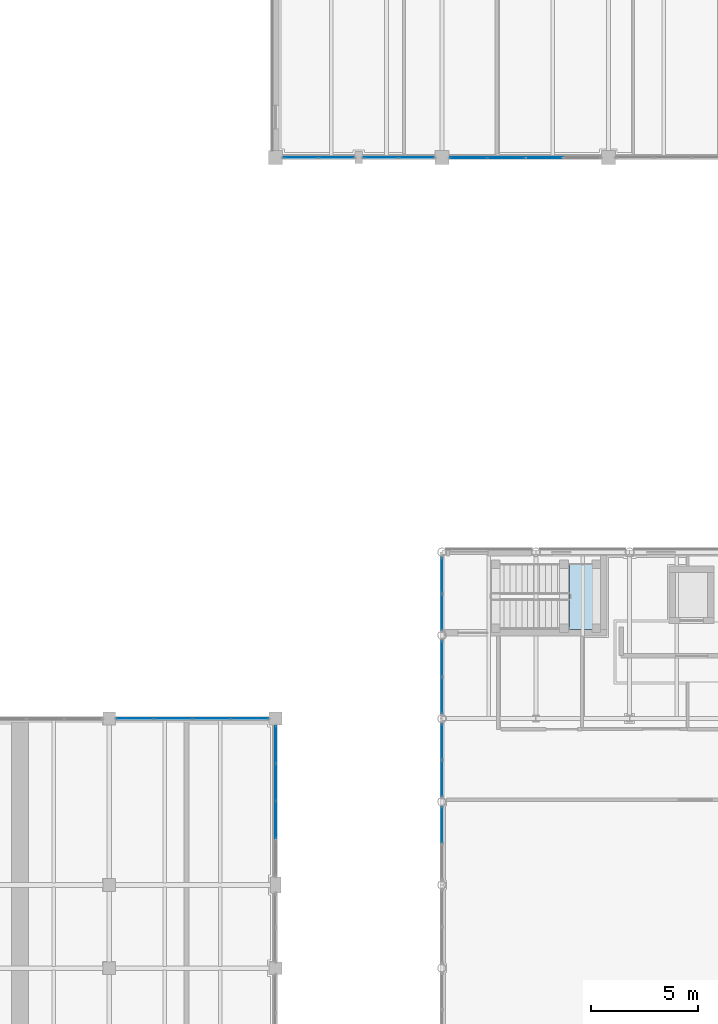
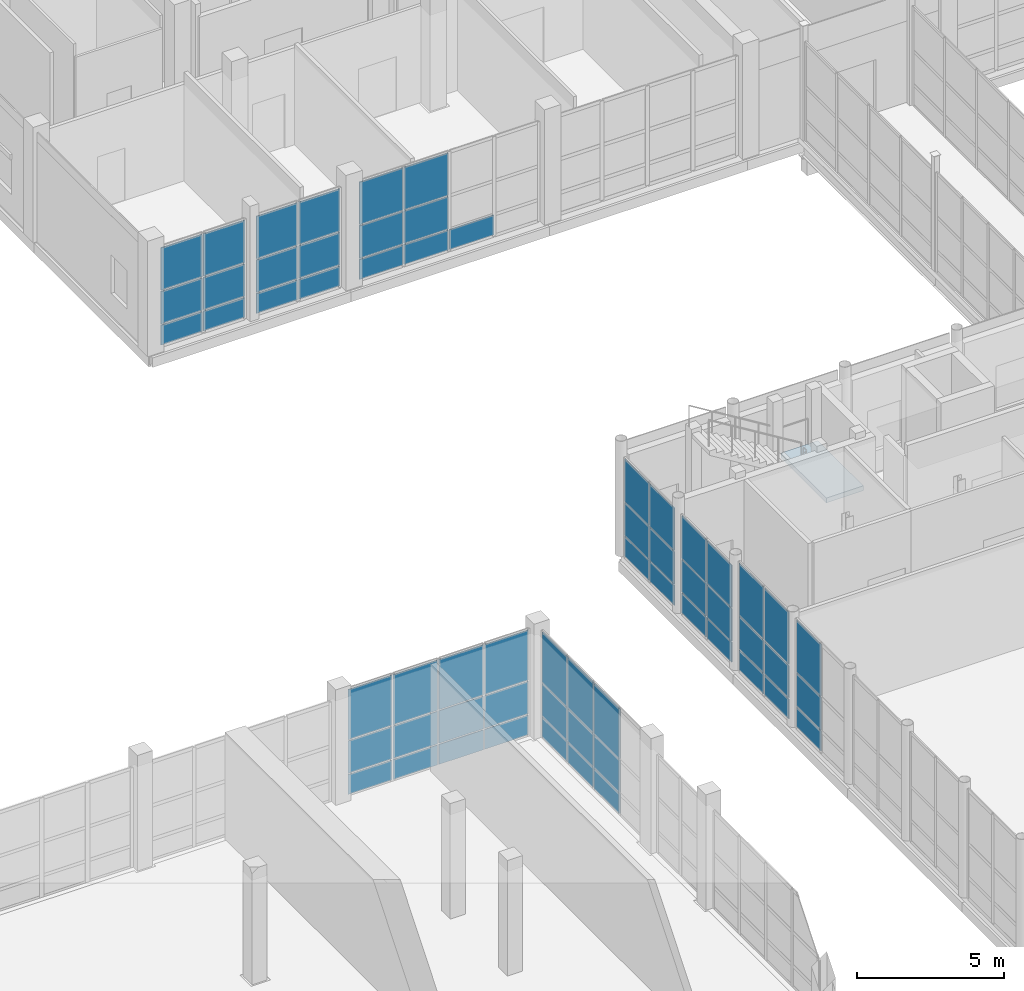
# One storey, part 77 of 131: 61 plates, 1 slab, 10 elements without a shape of their own.
"""IFC4 building model written with IfcOpenShell, lengths in metres."""

from ifc_helpers import new_model, si_unit, direction, frame, origin, origin_2d, place, context, subcontext, project, spatial, polyline, rectangle, outline, extrude, material, layer, layer_set, type_object, element, aggregate, save


model = new_model("IFC4")

# Units and contexts
model_context = context("Model", 3, precision=1e-05, world=origin(), true_north=direction((0.0, 1.0)))
body_context = subcontext(model_context, "Body", "Model", "MODEL_VIEW")
ifc_project = project(units=[si_unit("LENGTHUNIT", "METRE"), si_unit("AREAUNIT", "SQUARE_METRE"), si_unit("VOLUMEUNIT", "CUBIC_METRE"), si_unit("PLANEANGLEUNIT", "RADIAN"), si_unit("MASSUNIT", "GRAM", prefix="KILO")], contexts=[model_context])

# Site, building, storey
site_placement = place(None, origin())
site = spatial("IfcSite", under=ifc_project, at=site_placement, CompositionType="ELEMENT")
building_placement = place(site_placement, origin())
building = spatial("IfcBuilding", under=site, at=building_placement, Name="Celorna Specialist Clinic", CompositionType="ELEMENT")
storey_placement = place(building_placement, origin())
storey = spatial("IfcBuildingStorey", under=building, at=storey_placement, Name="L00", CompositionType="ELEMENT", Elevation=0.0)

# Curtain wall, plates
ifc_material_1 = material(Name="Thermally broken aluminium and solar-control glass curtain wall", Category="aluminium")
ifc_layer_1 = layer(ifc_material_1, 0.159912109375, Name="Thermally broken aluminium and solar-control glass curtain wall")
ifc_layer_set_1 = layer_set([ifc_layer_1], Name="Thermally broken aluminium and solar-control glass curtain wall")
curtain_wall_type_1 = type_object("IfcCurtainWallType", Name="CW-06", PredefinedType="NOTDEFINED", material=ifc_layer_set_1)
curtain_wall_1_placement = place(storey_placement, origin())
curtain_wall_1 = element("IfcCurtainWall", 1, at=curtain_wall_1_placement, inside=storey, type_object=curtain_wall_type_1, Name="Curtain wall CW-06 #14", PredefinedType="NOTDEFINED")
ifc_material_2 = material(Name="Low-e double glazing", Category="glass")
ifc_layer_2 = layer(ifc_material_2, 0.028076171875, Name="Low-e double glazing")
ifc_layer_set_2 = layer_set([ifc_layer_2], Name="Low-e double glazing")
plate_type_1 = type_object("IfcPlateType", Name="CPN-01", PredefinedType="CURTAIN_PANEL", material=ifc_layer_set_2)
plate_1_placement = place(storey_placement, frame((54.60009765625, 65.208984375, 0.0498046875), z_axis=(0.0, 0.0, 1.0), x_axis=(0.0, 1.0, 0.0)))
plate_1 = element("IfcPlate", 2, at=plate_1_placement, type_object=plate_type_1, Name="CW-06 panel 2.1", PredefinedType="CURTAIN_PANEL", context=body_context, shape_type="SweptSolid", body=[
    extrude(rectangle(XDim=1.667724609375, YDim=0.028076171875, at=origin_2d()), origin(), (0.0, 0.0, 1.0), 0.824951171875),
])
plate_2_placement = place(storey_placement, frame((54.60009765625, 65.208984375, 0.925048828125), z_axis=(0.0, 0.0, 1.0), x_axis=(0.0, 1.0, 0.0)))
plate_2 = element("IfcPlate", 3, at=plate_2_placement, type_object=plate_type_1, Name="CW-06 panel 2.2", PredefinedType="CURTAIN_PANEL", context=body_context, shape_type="SweptSolid", body=[
    extrude(rectangle(XDim=1.667724609375, YDim=0.028076171875, at=origin_2d()), origin(), (0.0, 0.0, 1.0), 1.35009765625),
])
plate_3_placement = place(storey_placement, frame((54.60009765625, 65.208984375, 2.324951171875), z_axis=(0.0, 0.0, 1.0), x_axis=(0.0, 1.0, 0.0)))
plate_3 = element("IfcPlate", 4, at=plate_3_placement, type_object=plate_type_1, Name="CW-06 panel 2.3", PredefinedType="CURTAIN_PANEL", context=body_context, shape_type="SweptSolid", body=[
    extrude(rectangle(XDim=1.667724609375, YDim=0.028076171875, at=origin_2d()), origin(), (0.0, 0.0, 1.0), 2.1650390625),
])
aggregate(curtain_wall_1, [plate_1, plate_2, plate_3])

curtain_wall_2_placement = place(storey_placement, origin())
curtain_wall_2 = element("IfcCurtainWall", 5, at=curtain_wall_2_placement, inside=storey, type_object=curtain_wall_type_1, Name="Curtain wall CW-06 #15", PredefinedType="NOTDEFINED")
plate_4_placement = place(storey_placement, frame((54.60009765625, 67.39111328125, 0.0498046875), z_axis=(0.0, 0.0, 1.0), x_axis=(0.0, 1.0, 0.0)))
plate_4 = element("IfcPlate", 6, at=plate_4_placement, type_object=plate_type_1, Name="CW-06 panel 1.1", PredefinedType="CURTAIN_PANEL", context=body_context, shape_type="SweptSolid", body=[
    extrude(rectangle(XDim=1.667724609375, YDim=0.028076171875, at=origin_2d()), origin(), (0.0, 0.0, 1.0), 0.824951171875),
])
plate_5_placement = place(storey_placement, frame((54.60009765625, 67.39111328125, 0.925048828125), z_axis=(0.0, 0.0, 1.0), x_axis=(0.0, 1.0, 0.0)))
plate_5 = element("IfcPlate", 7, at=plate_5_placement, type_object=plate_type_1, Name="CW-06 panel 1.2", PredefinedType="CURTAIN_PANEL", context=body_context, shape_type="SweptSolid", body=[
    extrude(rectangle(XDim=1.667724609375, YDim=0.028076171875, at=origin_2d()), origin(), (0.0, 0.0, 1.0), 1.35009765625),
])
plate_6_placement = place(storey_placement, frame((54.60009765625, 67.39111328125, 2.324951171875), z_axis=(0.0, 0.0, 1.0), x_axis=(0.0, 1.0, 0.0)))
plate_6 = element("IfcPlate", 8, at=plate_6_placement, type_object=plate_type_1, Name="CW-06 panel 1.3", PredefinedType="CURTAIN_PANEL", context=body_context, shape_type="SweptSolid", body=[
    extrude(rectangle(XDim=1.667724609375, YDim=0.028076171875, at=origin_2d()), origin(), (0.0, 0.0, 1.0), 2.1650390625),
])
plate_7_placement = place(storey_placement, frame((54.60009765625, 69.10888671875, 0.0498046875), z_axis=(0.0, 0.0, 1.0), x_axis=(0.0, 1.0, 0.0)))
plate_7 = element("IfcPlate", 9, at=plate_7_placement, type_object=plate_type_1, Name="CW-06 panel 2.1", PredefinedType="CURTAIN_PANEL", context=body_context, shape_type="SweptSolid", body=[
    extrude(rectangle(XDim=1.667724609375, YDim=0.028076171875, at=origin_2d()), origin(), (0.0, 0.0, 1.0), 0.824951171875),
])
plate_8_placement = place(storey_placement, frame((54.60009765625, 69.10888671875, 0.925048828125), z_axis=(0.0, 0.0, 1.0), x_axis=(0.0, 1.0, 0.0)))
plate_8 = element("IfcPlate", 10, at=plate_8_placement, type_object=plate_type_1, Name="CW-06 panel 2.2", PredefinedType="CURTAIN_PANEL", context=body_context, shape_type="SweptSolid", body=[
    extrude(rectangle(XDim=1.667724609375, YDim=0.028076171875, at=origin_2d()), origin(), (0.0, 0.0, 1.0), 1.35009765625),
])
plate_9_placement = place(storey_placement, frame((54.60009765625, 69.10888671875, 2.324951171875), z_axis=(0.0, 0.0, 1.0), x_axis=(0.0, 1.0, 0.0)))
plate_9 = element("IfcPlate", 11, at=plate_9_placement, type_object=plate_type_1, Name="CW-06 panel 2.3", PredefinedType="CURTAIN_PANEL", context=body_context, shape_type="SweptSolid", body=[
    extrude(rectangle(XDim=1.667724609375, YDim=0.028076171875, at=origin_2d()), origin(), (0.0, 0.0, 1.0), 2.1650390625),
])
aggregate(curtain_wall_2, [plate_4, plate_5, plate_6, plate_7, plate_8, plate_9])

ifc_layer_3 = layer(ifc_material_1, 0.159912109375, Name="Thermally broken aluminium and solar-control glass curtain wall")
ifc_layer_set_3 = layer_set([ifc_layer_3], Name="Thermally broken aluminium and solar-control glass curtain wall")
curtain_wall_type_2 = type_object("IfcCurtainWallType", Name="CW-18", PredefinedType="NOTDEFINED", material=ifc_layer_set_3)
curtain_wall_3_placement = place(storey_placement, origin())
curtain_wall_3 = element("IfcCurtainWall", 12, at=curtain_wall_3_placement, inside=storey, type_object=curtain_wall_type_2, Name="Curtain wall CW-18 #46", PredefinedType="NOTDEFINED")
plate_10_placement = place(storey_placement, frame((40.215576171875, 70.199951171875, 0.0498046875), z_axis=(0.0, 0.0, 1.0), x_axis=(1.0, 0.0, 0.0)))
plate_10 = element("IfcPlate", 13, at=plate_10_placement, type_object=plate_type_1, Name="CW-18 panel 1.1", PredefinedType="CURTAIN_PANEL", context=body_context, shape_type="SweptSolid", body=[
    extrude(rectangle(XDim=1.722900390625, YDim=0.028076171875, at=origin_2d()), origin(), (0.0, 0.0, 1.0), 0.824951171875),
])
plate_11_placement = place(storey_placement, frame((40.215576171875, 70.199951171875, 0.925048828125), z_axis=(0.0, 0.0, 1.0), x_axis=(1.0, 0.0, 0.0)))
plate_11 = element("IfcPlate", 14, at=plate_11_placement, type_object=plate_type_1, Name="CW-18 panel 1.2", PredefinedType="CURTAIN_PANEL", context=body_context, shape_type="SweptSolid", body=[
    extrude(rectangle(XDim=1.722900390625, YDim=0.028076171875, at=origin_2d()), origin(), (0.0, 0.0, 1.0), 1.35009765625),
])
plate_12_placement = place(storey_placement, frame((40.215576171875, 70.199951171875, 2.324951171875), z_axis=(0.0, 0.0, 1.0), x_axis=(1.0, 0.0, 0.0)))
plate_12 = element("IfcPlate", 15, at=plate_12_placement, type_object=plate_type_1, Name="CW-18 panel 1.3", PredefinedType="CURTAIN_PANEL", context=body_context, shape_type="SweptSolid", body=[
    extrude(rectangle(XDim=1.722900390625, YDim=0.028076171875, at=origin_2d()), origin(), (0.0, 0.0, 1.0), 2.0849609375),
])
plate_13_placement = place(storey_placement, frame((42.0009765625, 70.199951171875, 0.0498046875), z_axis=(0.0, 0.0, 1.0), x_axis=(1.0, 0.0, 0.0)))
plate_13 = element("IfcPlate", 16, at=plate_13_placement, type_object=plate_type_1, Name="CW-18 panel 2.1", PredefinedType="CURTAIN_PANEL", context=body_context, shape_type="SweptSolid", body=[
    extrude(rectangle(XDim=1.748046875, YDim=0.028076171875, at=origin_2d()), origin(), (0.0, 0.0, 1.0), 0.824951171875),
])
plate_14_placement = place(storey_placement, frame((42.0009765625, 70.199951171875, 0.925048828125), z_axis=(0.0, 0.0, 1.0), x_axis=(1.0, 0.0, 0.0)))
plate_14 = element("IfcPlate", 17, at=plate_14_placement, type_object=plate_type_1, Name="CW-18 panel 2.2", PredefinedType="CURTAIN_PANEL", context=body_context, shape_type="SweptSolid", body=[
    extrude(rectangle(XDim=1.748046875, YDim=0.028076171875, at=origin_2d()), origin(), (0.0, 0.0, 1.0), 1.35009765625),
])
plate_15_placement = place(storey_placement, frame((42.0009765625, 70.199951171875, 2.324951171875), z_axis=(0.0, 0.0, 1.0), x_axis=(1.0, 0.0, 0.0)))
plate_15 = element("IfcPlate", 18, at=plate_15_placement, type_object=plate_type_1, Name="CW-18 panel 2.3", PredefinedType="CURTAIN_PANEL", context=body_context, shape_type="SweptSolid", body=[
    extrude(rectangle(XDim=1.748046875, YDim=0.028076171875, at=origin_2d()), origin(), (0.0, 0.0, 1.0), 2.0849609375),
])
plate_16_placement = place(storey_placement, frame((43.799072265625, 70.199951171875, 0.0498046875), z_axis=(0.0, 0.0, 1.0), x_axis=(1.0, 0.0, 0.0)))
plate_16 = element("IfcPlate", 19, at=plate_16_placement, type_object=plate_type_1, Name="CW-18 panel 3.1", PredefinedType="CURTAIN_PANEL", context=body_context, shape_type="SweptSolid", body=[
    extrude(rectangle(XDim=1.748046875, YDim=0.028076171875, at=origin_2d()), origin(), (0.0, 0.0, 1.0), 0.824951171875),
])
plate_17_placement = place(storey_placement, frame((43.799072265625, 70.199951171875, 0.925048828125), z_axis=(0.0, 0.0, 1.0), x_axis=(1.0, 0.0, 0.0)))
plate_17 = element("IfcPlate", 20, at=plate_17_placement, type_object=plate_type_1, Name="CW-18 panel 3.2", PredefinedType="CURTAIN_PANEL", context=body_context, shape_type="SweptSolid", body=[
    extrude(rectangle(XDim=1.748046875, YDim=0.028076171875, at=origin_2d()), origin(), (0.0, 0.0, 1.0), 1.35009765625),
])
plate_18_placement = place(storey_placement, frame((43.799072265625, 70.199951171875, 2.324951171875), z_axis=(0.0, 0.0, 1.0), x_axis=(1.0, 0.0, 0.0)))
plate_18 = element("IfcPlate", 21, at=plate_18_placement, type_object=plate_type_1, Name="CW-18 panel 3.3", PredefinedType="CURTAIN_PANEL", context=body_context, shape_type="SweptSolid", body=[
    extrude(rectangle(XDim=1.748046875, YDim=0.028076171875, at=origin_2d()), origin(), (0.0, 0.0, 1.0), 2.0849609375),
])
plate_19_placement = place(storey_placement, frame((45.58447265625, 70.199951171875, 0.0498046875), z_axis=(0.0, 0.0, 1.0), x_axis=(1.0, 0.0, 0.0)))
plate_19 = element("IfcPlate", 22, at=plate_19_placement, type_object=plate_type_1, Name="CW-18 panel 4.1", PredefinedType="CURTAIN_PANEL", context=body_context, shape_type="SweptSolid", body=[
    extrude(rectangle(XDim=1.722900390625, YDim=0.028076171875, at=origin_2d()), origin(), (0.0, 0.0, 1.0), 0.824951171875),
])
plate_20_placement = place(storey_placement, frame((45.58447265625, 70.199951171875, 0.925048828125), z_axis=(0.0, 0.0, 1.0), x_axis=(1.0, 0.0, 0.0)))
plate_20 = element("IfcPlate", 23, at=plate_20_placement, type_object=plate_type_1, Name="CW-18 panel 4.2", PredefinedType="CURTAIN_PANEL", context=body_context, shape_type="SweptSolid", body=[
    extrude(rectangle(XDim=1.722900390625, YDim=0.028076171875, at=origin_2d()), origin(), (0.0, 0.0, 1.0), 1.35009765625),
])
plate_21_placement = place(storey_placement, frame((45.58447265625, 70.199951171875, 2.324951171875), z_axis=(0.0, 0.0, 1.0), x_axis=(1.0, 0.0, 0.0)))
plate_21 = element("IfcPlate", 24, at=plate_21_placement, type_object=plate_type_1, Name="CW-18 panel 4.3", PredefinedType="CURTAIN_PANEL", context=body_context, shape_type="SweptSolid", body=[
    extrude(rectangle(XDim=1.722900390625, YDim=0.028076171875, at=origin_2d()), origin(), (0.0, 0.0, 1.0), 2.0849609375),
])
aggregate(curtain_wall_3, [plate_10, plate_11, plate_12, plate_13, plate_14, plate_15, plate_16, plate_17, plate_18, plate_19, plate_20, plate_21])

ifc_layer_4 = layer(ifc_material_1, 0.159912109375, Name="Thermally broken aluminium and solar-control glass curtain wall")
ifc_layer_set_4 = layer_set([ifc_layer_4], Name="Thermally broken aluminium and solar-control glass curtain wall")
curtain_wall_type_3 = type_object("IfcCurtainWallType", Name="CW-07", PredefinedType="NOTDEFINED", material=ifc_layer_set_4)
curtain_wall_4_placement = place(storey_placement, origin())
curtain_wall_4 = element("IfcCurtainWall", 25, at=curtain_wall_4_placement, inside=storey, type_object=curtain_wall_type_3, Name="Curtain wall CW-07 #16", PredefinedType="NOTDEFINED")
ifc_material_3 = material(Name="Solar-control triple glazing", Category="glass")
ifc_layer_5 = layer(ifc_material_3, 0.035888671875, Name="Solar-control triple glazing")
ifc_layer_set_5 = layer_set([ifc_layer_5], Name="Solar-control triple glazing")
plate_type_2 = type_object("IfcPlateType", Name="CPN-02", PredefinedType="CURTAIN_PANEL", material=ifc_layer_set_5)
plate_22_placement = place(storey_placement, frame((54.60009765625, 71.291015625, 0.0498046875), z_axis=(0.0, 0.0, 1.0), x_axis=(0.0, 1.0, 0.0)))
plate_22 = element("IfcPlate", 26, at=plate_22_placement, type_object=plate_type_2, Name="CW-07 panel 1.1", PredefinedType="CURTAIN_PANEL", context=body_context, shape_type="SweptSolid", body=[
    extrude(rectangle(XDim=1.667724609375, YDim=0.035888671875, at=origin_2d()), origin(), (0.0, 0.0, 1.0), 0.824951171875),
])
plate_23_placement = place(storey_placement, frame((54.60009765625, 71.291015625, 0.925048828125), z_axis=(0.0, 0.0, 1.0), x_axis=(0.0, 1.0, 0.0)))
plate_23 = element("IfcPlate", 27, at=plate_23_placement, type_object=plate_type_2, Name="CW-07 panel 1.2", PredefinedType="CURTAIN_PANEL", context=body_context, shape_type="SweptSolid", body=[
    extrude(rectangle(XDim=1.667724609375, YDim=0.035888671875, at=origin_2d()), origin(), (0.0, 0.0, 1.0), 1.35009765625),
])
plate_24_placement = place(storey_placement, frame((54.60009765625, 71.291015625, 2.3251953125), z_axis=(0.0, 0.0, 1.0), x_axis=(0.0, 1.0, 0.0)))
plate_24 = element("IfcPlate", 28, at=plate_24_placement, type_object=plate_type_2, Name="CW-07 panel 1.3", PredefinedType="CURTAIN_PANEL", context=body_context, shape_type="SweptSolid", body=[
    extrude(rectangle(XDim=1.667724609375, YDim=0.035888671875, at=origin_2d()), origin(), (0.0, 0.0, 1.0), 1.764892578125),
])
plate_25_placement = place(storey_placement, frame((54.60009765625, 73.0087890625, 0.0498046875), z_axis=(0.0, 0.0, 1.0), x_axis=(0.0, 1.0, 0.0)))
plate_25 = element("IfcPlate", 29, at=plate_25_placement, type_object=plate_type_2, Name="CW-07 panel 2.1", PredefinedType="CURTAIN_PANEL", context=body_context, shape_type="SweptSolid", body=[
    extrude(rectangle(XDim=1.667724609375, YDim=0.035888671875, at=origin_2d()), origin(), (0.0, 0.0, 1.0), 0.824951171875),
])
plate_26_placement = place(storey_placement, frame((54.60009765625, 73.0087890625, 0.925048828125), z_axis=(0.0, 0.0, 1.0), x_axis=(0.0, 1.0, 0.0)))
plate_26 = element("IfcPlate", 30, at=plate_26_placement, type_object=plate_type_2, Name="CW-07 panel 2.2", PredefinedType="CURTAIN_PANEL", context=body_context, shape_type="SweptSolid", body=[
    extrude(rectangle(XDim=1.667724609375, YDim=0.035888671875, at=origin_2d()), origin(), (0.0, 0.0, 1.0), 1.35009765625),
])
plate_27_placement = place(storey_placement, frame((54.60009765625, 73.0087890625, 2.3251953125), z_axis=(0.0, 0.0, 1.0), x_axis=(0.0, 1.0, 0.0)))
plate_27 = element("IfcPlate", 31, at=plate_27_placement, type_object=plate_type_2, Name="CW-07 panel 2.3", PredefinedType="CURTAIN_PANEL", context=body_context, shape_type="SweptSolid", body=[
    extrude(rectangle(XDim=1.667724609375, YDim=0.035888671875, at=origin_2d()), origin(), (0.0, 0.0, 1.0), 1.764892578125),
])
aggregate(curtain_wall_4, [plate_22, plate_23, plate_24, plate_25, plate_26, plate_27])

curtain_wall_5_placement = place(storey_placement, origin())
curtain_wall_5 = element("IfcCurtainWall", 32, at=curtain_wall_5_placement, inside=storey, type_object=curtain_wall_type_3, Name="Curtain wall CW-07 #17", PredefinedType="NOTDEFINED")
plate_28_placement = place(storey_placement, frame((54.60009765625, 75.191162109375, 0.0498046875), z_axis=(0.0, 0.0, 1.0), x_axis=(0.0, 1.0, 0.0)))
plate_28 = element("IfcPlate", 33, at=plate_28_placement, type_object=plate_type_2, Name="CW-07 panel 1.1", PredefinedType="CURTAIN_PANEL", context=body_context, shape_type="SweptSolid", body=[
    extrude(rectangle(XDim=1.667724609375, YDim=0.035888671875, at=origin_2d()), origin(), (0.0, 0.0, 1.0), 0.824951171875),
])
plate_29_placement = place(storey_placement, frame((54.60009765625, 75.191162109375, 0.925048828125), z_axis=(0.0, 0.0, 1.0), x_axis=(0.0, 1.0, 0.0)))
plate_29 = element("IfcPlate", 34, at=plate_29_placement, type_object=plate_type_2, Name="CW-07 panel 1.2", PredefinedType="CURTAIN_PANEL", context=body_context, shape_type="SweptSolid", body=[
    extrude(rectangle(XDim=1.667724609375, YDim=0.035888671875, at=origin_2d()), origin(), (0.0, 0.0, 1.0), 1.35009765625),
])
plate_30_placement = place(storey_placement, frame((54.60009765625, 75.191162109375, 2.3251953125), z_axis=(0.0, 0.0, 1.0), x_axis=(0.0, 1.0, 0.0)))
plate_30 = element("IfcPlate", 35, at=plate_30_placement, type_object=plate_type_2, Name="CW-07 panel 1.3", PredefinedType="CURTAIN_PANEL", context=body_context, shape_type="SweptSolid", body=[
    extrude(rectangle(XDim=1.667724609375, YDim=0.035888671875, at=origin_2d()), origin(), (0.0, 0.0, 1.0), 1.764892578125),
])
plate_31_placement = place(storey_placement, frame((54.60009765625, 76.908935546875, 0.0498046875), z_axis=(0.0, 0.0, 1.0), x_axis=(0.0, 1.0, 0.0)))
plate_31 = element("IfcPlate", 36, at=plate_31_placement, type_object=plate_type_2, Name="CW-07 panel 2.1", PredefinedType="CURTAIN_PANEL", context=body_context, shape_type="SweptSolid", body=[
    extrude(rectangle(XDim=1.667724609375, YDim=0.035888671875, at=origin_2d()), origin(), (0.0, 0.0, 1.0), 0.824951171875),
])
plate_32_placement = place(storey_placement, frame((54.60009765625, 76.908935546875, 0.925048828125), z_axis=(0.0, 0.0, 1.0), x_axis=(0.0, 1.0, 0.0)))
plate_32 = element("IfcPlate", 37, at=plate_32_placement, type_object=plate_type_2, Name="CW-07 panel 2.2", PredefinedType="CURTAIN_PANEL", context=body_context, shape_type="SweptSolid", body=[
    extrude(rectangle(XDim=1.667724609375, YDim=0.035888671875, at=origin_2d()), origin(), (0.0, 0.0, 1.0), 1.35009765625),
])
plate_33_placement = place(storey_placement, frame((54.60009765625, 76.908935546875, 2.3251953125), z_axis=(0.0, 0.0, 1.0), x_axis=(0.0, 1.0, 0.0)))
plate_33 = element("IfcPlate", 38, at=plate_33_placement, type_object=plate_type_2, Name="CW-07 panel 2.3", PredefinedType="CURTAIN_PANEL", context=body_context, shape_type="SweptSolid", body=[
    extrude(rectangle(XDim=1.667724609375, YDim=0.035888671875, at=origin_2d()), origin(), (0.0, 0.0, 1.0), 1.764892578125),
])
aggregate(curtain_wall_5, [plate_28, plate_29, plate_30, plate_31, plate_32, plate_33])

ifc_layer_6 = layer(ifc_material_1, 0.159912109375, Name="Thermally broken aluminium and solar-control glass curtain wall")
ifc_layer_set_6 = layer_set([ifc_layer_6], Name="Thermally broken aluminium and solar-control glass curtain wall")
curtain_wall_type_4 = type_object("IfcCurtainWallType", Name="CW-46", PredefinedType="NOTDEFINED", material=ifc_layer_set_6)
curtain_wall_6_placement = place(storey_placement, origin())
curtain_wall_6 = element("IfcCurtainWall", 39, at=curtain_wall_6_placement, inside=storey, type_object=curtain_wall_type_4, Name="Curtain wall CW-46 #86", PredefinedType="NOTDEFINED")
plate_34_placement = place(storey_placement, frame((53.410400390625, 96.5, 0.0498046875), z_axis=(0.0, 0.0, 1.0), x_axis=(-1.0, 0.0, 0.0)))
plate_34 = element("IfcPlate", 40, at=plate_34_placement, type_object=plate_type_2, Name="CW-46 panel 1.1", PredefinedType="CURTAIN_PANEL", context=body_context, shape_type="SweptSolid", body=[
    extrude(rectangle(XDim=1.62109375, YDim=0.035888671875, at=origin_2d()), origin(), (0.0, 0.0, 1.0), 0.824951171875),
])
plate_35_placement = place(storey_placement, frame((53.410400390625, 96.5, 0.925048828125), z_axis=(0.0, 0.0, 1.0), x_axis=(-1.0, 0.0, 0.0)))
plate_35 = element("IfcPlate", 41, at=plate_35_placement, type_object=plate_type_2, Name="CW-46 panel 1.2", PredefinedType="CURTAIN_PANEL", context=body_context, shape_type="SweptSolid", body=[
    extrude(rectangle(XDim=1.62109375, YDim=0.035888671875, at=origin_2d()), origin(), (0.0, 0.0, 1.0), 1.35009765625),
])
plate_36_placement = place(storey_placement, frame((53.410400390625, 96.5, 2.3251953125), z_axis=(0.0, 0.0, 1.0), x_axis=(-1.0, 0.0, 0.0)))
plate_36 = element("IfcPlate", 42, at=plate_36_placement, type_object=plate_type_2, Name="CW-46 panel 1.3", PredefinedType="CURTAIN_PANEL", context=body_context, shape_type="SweptSolid", body=[
    extrude(rectangle(XDim=1.62109375, YDim=0.035888671875, at=origin_2d()), origin(), (0.0, 0.0, 1.0), 1.764892578125),
])
plate_37_placement = place(storey_placement, frame((51.739501953125, 96.5, 0.0498046875), z_axis=(0.0, 0.0, 1.0), x_axis=(-1.0, 0.0, 0.0)))
plate_37 = element("IfcPlate", 43, at=plate_37_placement, type_object=plate_type_2, Name="CW-46 panel 2.1", PredefinedType="CURTAIN_PANEL", context=body_context, shape_type="SweptSolid", body=[
    extrude(rectangle(XDim=1.62109375, YDim=0.035888671875, at=origin_2d()), origin(), (0.0, 0.0, 1.0), 0.824951171875),
])
plate_38_placement = place(storey_placement, frame((51.739501953125, 96.5, 0.925048828125), z_axis=(0.0, 0.0, 1.0), x_axis=(-1.0, 0.0, 0.0)))
plate_38 = element("IfcPlate", 44, at=plate_38_placement, type_object=plate_type_2, Name="CW-46 panel 2.2", PredefinedType="CURTAIN_PANEL", context=body_context, shape_type="SweptSolid", body=[
    extrude(rectangle(XDim=1.62109375, YDim=0.035888671875, at=origin_2d()), origin(), (0.0, 0.0, 1.0), 1.35009765625),
])
plate_39_placement = place(storey_placement, frame((51.739501953125, 96.5, 2.3251953125), z_axis=(0.0, 0.0, 1.0), x_axis=(-1.0, 0.0, 0.0)))
plate_39 = element("IfcPlate", 45, at=plate_39_placement, type_object=plate_type_2, Name="CW-46 panel 2.3", PredefinedType="CURTAIN_PANEL", context=body_context, shape_type="SweptSolid", body=[
    extrude(rectangle(XDim=1.62109375, YDim=0.035888671875, at=origin_2d()), origin(), (0.0, 0.0, 1.0), 1.764892578125),
])
aggregate(curtain_wall_6, [plate_34, plate_35, plate_36, plate_37, plate_38, plate_39])

curtain_wall_7_placement = place(storey_placement, origin())
curtain_wall_7 = element("IfcCurtainWall", 46, at=curtain_wall_7_placement, inside=storey, type_object=curtain_wall_type_4, Name="Curtain wall CW-46 #87", PredefinedType="NOTDEFINED")
plate_40_placement = place(storey_placement, frame((49.660400390625, 96.5, 0.0498046875), z_axis=(0.0, 0.0, 1.0), x_axis=(-1.0, 0.0, 0.0)))
plate_40 = element("IfcPlate", 47, at=plate_40_placement, type_object=plate_type_2, Name="CW-46 panel 1.1", PredefinedType="CURTAIN_PANEL", context=body_context, shape_type="SweptSolid", body=[
    extrude(rectangle(XDim=1.62109375, YDim=0.035888671875, at=origin_2d()), origin(), (0.0, 0.0, 1.0), 0.824951171875),
])
plate_41_placement = place(storey_placement, frame((49.660400390625, 96.5, 0.925048828125), z_axis=(0.0, 0.0, 1.0), x_axis=(-1.0, 0.0, 0.0)))
plate_41 = element("IfcPlate", 48, at=plate_41_placement, type_object=plate_type_2, Name="CW-46 panel 1.2", PredefinedType="CURTAIN_PANEL", context=body_context, shape_type="SweptSolid", body=[
    extrude(rectangle(XDim=1.62109375, YDim=0.035888671875, at=origin_2d()), origin(), (0.0, 0.0, 1.0), 1.35009765625),
])
plate_42_placement = place(storey_placement, frame((49.660400390625, 96.5, 2.3251953125), z_axis=(0.0, 0.0, 1.0), x_axis=(-1.0, 0.0, 0.0)))
plate_42 = element("IfcPlate", 49, at=plate_42_placement, type_object=plate_type_2, Name="CW-46 panel 1.3", PredefinedType="CURTAIN_PANEL", context=body_context, shape_type="SweptSolid", body=[
    extrude(rectangle(XDim=1.62109375, YDim=0.035888671875, at=origin_2d()), origin(), (0.0, 0.0, 1.0), 1.764892578125),
])
plate_43_placement = place(storey_placement, frame((47.989501953125, 96.5, 0.0498046875), z_axis=(0.0, 0.0, 1.0), x_axis=(-1.0, 0.0, 0.0)))
plate_43 = element("IfcPlate", 50, at=plate_43_placement, type_object=plate_type_2, Name="CW-46 panel 2.1", PredefinedType="CURTAIN_PANEL", context=body_context, shape_type="SweptSolid", body=[
    extrude(rectangle(XDim=1.62109375, YDim=0.035888671875, at=origin_2d()), origin(), (0.0, 0.0, 1.0), 0.824951171875),
])
plate_44_placement = place(storey_placement, frame((47.989501953125, 96.5, 0.925048828125), z_axis=(0.0, 0.0, 1.0), x_axis=(-1.0, 0.0, 0.0)))
plate_44 = element("IfcPlate", 51, at=plate_44_placement, type_object=plate_type_2, Name="CW-46 panel 2.2", PredefinedType="CURTAIN_PANEL", context=body_context, shape_type="SweptSolid", body=[
    extrude(rectangle(XDim=1.62109375, YDim=0.035888671875, at=origin_2d()), origin(), (0.0, 0.0, 1.0), 1.35009765625),
])
plate_45_placement = place(storey_placement, frame((47.989501953125, 96.5, 2.3251953125), z_axis=(0.0, 0.0, 1.0), x_axis=(-1.0, 0.0, 0.0)))
plate_45 = element("IfcPlate", 52, at=plate_45_placement, type_object=plate_type_2, Name="CW-46 panel 2.3", PredefinedType="CURTAIN_PANEL", context=body_context, shape_type="SweptSolid", body=[
    extrude(rectangle(XDim=1.62109375, YDim=0.035888671875, at=origin_2d()), origin(), (0.0, 0.0, 1.0), 1.764892578125),
])
aggregate(curtain_wall_7, [plate_40, plate_41, plate_42, plate_43, plate_44, plate_45])

ifc_layer_7 = layer(ifc_material_1, 0.159912109375, Name="Thermally broken aluminium and solar-control glass curtain wall")
ifc_layer_set_7 = layer_set([ifc_layer_7], Name="Thermally broken aluminium and solar-control glass curtain wall")
curtain_wall_type_5 = type_object("IfcCurtainWallType", Name="CW-21", PredefinedType="NOTDEFINED", material=ifc_layer_set_7)
curtain_wall_8_placement = place(storey_placement, origin())
curtain_wall_8 = element("IfcCurtainWall", 53, at=curtain_wall_8_placement, inside=storey, type_object=curtain_wall_type_5, Name="Curtain wall CW-21 #49", PredefinedType="NOTDEFINED")
ifc_material_4 = material(Name="Glazed polychrome ceramic insulated spandrel")
ifc_layer_8 = layer(ifc_material_4, 0.0439453125, Name="Glazed polychrome ceramic insulated spandrel")
ifc_layer_set_8 = layer_set([ifc_layer_8], Name="Glazed polychrome ceramic insulated spandrel")
plate_type_3 = type_object("IfcPlateType", Name="CPN-03", PredefinedType="CURTAIN_PANEL", material=ifc_layer_set_8)
plate_46_placement = place(storey_placement, frame((46.800048828125, 68.993896484375, 0.0498046875), z_axis=(0.0, 0.0, 1.0), x_axis=(0.0, -1.0, 0.0)))
plate_46 = element("IfcPlate", 54, at=plate_46_placement, type_object=plate_type_3, Name="CW-21 panel 1.1", PredefinedType="CURTAIN_PANEL", context=body_context, shape_type="SweptSolid", body=[
    extrude(rectangle(XDim=1.704345703125, YDim=0.0439453125, at=origin_2d()), origin(), (0.0, 0.0, 1.0), 0.824951171875),
])
plate_47_placement = place(storey_placement, frame((46.800048828125, 68.993896484375, 0.925048828125), z_axis=(0.0, 0.0, 1.0), x_axis=(0.0, -1.0, 0.0)))
plate_47 = element("IfcPlate", 55, at=plate_47_placement, type_object=plate_type_3, Name="CW-21 panel 1.2", PredefinedType="CURTAIN_PANEL", context=body_context, shape_type="SweptSolid", body=[
    extrude(rectangle(XDim=1.704345703125, YDim=0.0439453125, at=origin_2d()), origin(), (0.0, 0.0, 1.0), 1.35009765625),
])
plate_48_placement = place(storey_placement, frame((46.800048828125, 68.993896484375, 2.324951171875), z_axis=(0.0, 0.0, 1.0), x_axis=(0.0, -1.0, 0.0)))
plate_48 = element("IfcPlate", 56, at=plate_48_placement, type_object=plate_type_3, Name="CW-21 panel 1.3", PredefinedType="CURTAIN_PANEL", context=body_context, shape_type="SweptSolid", body=[
    extrude(rectangle(XDim=1.704345703125, YDim=0.0439453125, at=origin_2d()), origin(), (0.0, 0.0, 1.0), 2.0849609375),
])
plate_49_placement = place(storey_placement, frame((46.800048828125, 67.22705078125, 0.0498046875), z_axis=(0.0, 0.0, 1.0), x_axis=(0.0, -1.0, 0.0)))
plate_49 = element("IfcPlate", 57, at=plate_49_placement, type_object=plate_type_3, Name="CW-21 panel 2.1", PredefinedType="CURTAIN_PANEL", context=body_context, shape_type="SweptSolid", body=[
    extrude(rectangle(XDim=1.729248046875, YDim=0.0439453125, at=origin_2d()), origin(), (0.0, 0.0, 1.0), 0.824951171875),
])
plate_50_placement = place(storey_placement, frame((46.800048828125, 67.22705078125, 0.925048828125), z_axis=(0.0, 0.0, 1.0), x_axis=(0.0, -1.0, 0.0)))
plate_50 = element("IfcPlate", 58, at=plate_50_placement, type_object=plate_type_3, Name="CW-21 panel 2.2", PredefinedType="CURTAIN_PANEL", context=body_context, shape_type="SweptSolid", body=[
    extrude(rectangle(XDim=1.729248046875, YDim=0.0439453125, at=origin_2d()), origin(), (0.0, 0.0, 1.0), 1.35009765625),
])
plate_51_placement = place(storey_placement, frame((46.800048828125, 67.22705078125, 2.324951171875), z_axis=(0.0, 0.0, 1.0), x_axis=(0.0, -1.0, 0.0)))
plate_51 = element("IfcPlate", 59, at=plate_51_placement, type_object=plate_type_3, Name="CW-21 panel 2.3", PredefinedType="CURTAIN_PANEL", context=body_context, shape_type="SweptSolid", body=[
    extrude(rectangle(XDim=1.729248046875, YDim=0.0439453125, at=origin_2d()), origin(), (0.0, 0.0, 1.0), 2.0849609375),
])
plate_52_placement = place(storey_placement, frame((46.800048828125, 65.44775390625, 0.0498046875), z_axis=(0.0, 0.0, 1.0), x_axis=(0.0, -1.0, 0.0)))
plate_52 = element("IfcPlate", 60, at=plate_52_placement, type_object=plate_type_3, Name="CW-21 panel 3.1", PredefinedType="CURTAIN_PANEL", context=body_context, shape_type="SweptSolid", body=[
    extrude(rectangle(XDim=1.729248046875, YDim=0.0439453125, at=origin_2d()), origin(), (0.0, 0.0, 1.0), 0.824951171875),
])
plate_53_placement = place(storey_placement, frame((46.800048828125, 65.44775390625, 0.925048828125), z_axis=(0.0, 0.0, 1.0), x_axis=(0.0, -1.0, 0.0)))
plate_53 = element("IfcPlate", 61, at=plate_53_placement, type_object=plate_type_3, Name="CW-21 panel 3.2", PredefinedType="CURTAIN_PANEL", context=body_context, shape_type="SweptSolid", body=[
    extrude(rectangle(XDim=1.729248046875, YDim=0.0439453125, at=origin_2d()), origin(), (0.0, 0.0, 1.0), 1.35009765625),
])
plate_54_placement = place(storey_placement, frame((46.800048828125, 65.44775390625, 2.324951171875), z_axis=(0.0, 0.0, 1.0), x_axis=(0.0, -1.0, 0.0)))
plate_54 = element("IfcPlate", 62, at=plate_54_placement, type_object=plate_type_3, Name="CW-21 panel 3.3", PredefinedType="CURTAIN_PANEL", context=body_context, shape_type="SweptSolid", body=[
    extrude(rectangle(XDim=1.729248046875, YDim=0.0439453125, at=origin_2d()), origin(), (0.0, 0.0, 1.0), 2.0849609375),
])
aggregate(curtain_wall_8, [plate_46, plate_47, plate_48, plate_49, plate_50, plate_51, plate_52, plate_53, plate_54])

ifc_layer_9 = layer(ifc_material_1, 0.159912109375, Name="Thermally broken aluminium and solar-control glass curtain wall")
ifc_layer_set_9 = layer_set([ifc_layer_9], Name="Thermally broken aluminium and solar-control glass curtain wall")
curtain_wall_type_6 = type_object("IfcCurtainWallType", Name="CW-47", PredefinedType="NOTDEFINED", material=ifc_layer_set_9)
curtain_wall_9_placement = place(storey_placement, origin())
curtain_wall_9 = element("IfcCurtainWall", 63, at=curtain_wall_9_placement, inside=storey, type_object=curtain_wall_type_6, Name="Curtain wall CW-47 #88", PredefinedType="NOTDEFINED")
plate_55_placement = place(storey_placement, frame((59.392822265625, 96.5, 0.0498046875), z_axis=(0.0, 0.0, 1.0), x_axis=(-1.0, 0.0, 0.0)))
plate_55 = element("IfcPlate", 64, at=plate_55_placement, type_object=plate_type_3, Name="CW-47 panel 2.1", PredefinedType="CURTAIN_PANEL", context=body_context, shape_type="SweptSolid", body=[
    extrude(rectangle(XDim=1.735595703125, YDim=0.0439453125, at=origin_2d()), origin(), (0.0, 0.0, 1.0), 0.824951171875),
])
plate_56_placement = place(storey_placement, frame((57.607177734375, 96.5, 0.0498046875), z_axis=(0.0, 0.0, 1.0), x_axis=(-1.0, 0.0, 0.0)))
plate_56 = element("IfcPlate", 65, at=plate_56_placement, type_object=plate_type_3, Name="CW-47 panel 3.1", PredefinedType="CURTAIN_PANEL", context=body_context, shape_type="SweptSolid", body=[
    extrude(rectangle(XDim=1.735595703125, YDim=0.0439453125, at=origin_2d()), origin(), (0.0, 0.0, 1.0), 0.824951171875),
])
plate_57_placement = place(storey_placement, frame((57.607177734375, 96.5, 0.925048828125), z_axis=(0.0, 0.0, 1.0), x_axis=(-1.0, 0.0, 0.0)))
plate_57 = element("IfcPlate", 66, at=plate_57_placement, type_object=plate_type_3, Name="CW-47 panel 3.2", PredefinedType="CURTAIN_PANEL", context=body_context, shape_type="SweptSolid", body=[
    extrude(rectangle(XDim=1.735595703125, YDim=0.0439453125, at=origin_2d()), origin(), (0.0, 0.0, 1.0), 1.35009765625),
])
plate_58_placement = place(storey_placement, frame((57.607177734375, 96.5, 2.3251953125), z_axis=(0.0, 0.0, 1.0), x_axis=(-1.0, 0.0, 0.0)))
plate_58 = element("IfcPlate", 67, at=plate_58_placement, type_object=plate_type_3, Name="CW-47 panel 3.3", PredefinedType="CURTAIN_PANEL", context=body_context, shape_type="SweptSolid", body=[
    extrude(rectangle(XDim=1.735595703125, YDim=0.0439453125, at=origin_2d()), origin(), (0.0, 0.0, 1.0), 1.764892578125),
])
plate_59_placement = place(storey_placement, frame((55.834228515625, 96.5, 0.0498046875), z_axis=(0.0, 0.0, 1.0), x_axis=(-1.0, 0.0, 0.0)))
plate_59 = element("IfcPlate", 68, at=plate_59_placement, type_object=plate_type_3, Name="CW-47 panel 4.1", PredefinedType="CURTAIN_PANEL", context=body_context, shape_type="SweptSolid", body=[
    extrude(rectangle(XDim=1.71044921875, YDim=0.0439453125, at=origin_2d()), origin(), (0.0, 0.0, 1.0), 0.824951171875),
])
plate_60_placement = place(storey_placement, frame((55.834228515625, 96.5, 0.925048828125), z_axis=(0.0, 0.0, 1.0), x_axis=(-1.0, 0.0, 0.0)))
plate_60 = element("IfcPlate", 69, at=plate_60_placement, type_object=plate_type_3, Name="CW-47 panel 4.2", PredefinedType="CURTAIN_PANEL", context=body_context, shape_type="SweptSolid", body=[
    extrude(rectangle(XDim=1.71044921875, YDim=0.0439453125, at=origin_2d()), origin(), (0.0, 0.0, 1.0), 1.35009765625),
])
plate_61_placement = place(storey_placement, frame((55.834228515625, 96.5, 2.3251953125), z_axis=(0.0, 0.0, 1.0), x_axis=(-1.0, 0.0, 0.0)))
plate_61 = element("IfcPlate", 70, at=plate_61_placement, type_object=plate_type_3, Name="CW-47 panel 4.3", PredefinedType="CURTAIN_PANEL", context=body_context, shape_type="SweptSolid", body=[
    extrude(rectangle(XDim=1.71044921875, YDim=0.0439453125, at=origin_2d()), origin(), (0.0, 0.0, 1.0), 1.764892578125),
])
aggregate(curtain_wall_9, [plate_55, plate_56, plate_57, plate_58, plate_59, plate_60, plate_61])

# Stair, slab
ifc_material_5 = material(Name="Concrete C35/45", Category="concrete")
stair_type = type_object("IfcStairType", Name="ST-02", PredefinedType="HALF_TURN_STAIR", material=ifc_material_5)
stair_placement = place(storey_placement, origin())
stair = element("IfcStair", 71, at=stair_placement, inside=storey, type_object=stair_type, Name="L00 Protected exit stair ST-10", PredefinedType="HALF_TURN_STAIR")
ifc_layer_10 = layer(ifc_material_5, 0.199951171875, Name="Concrete C35/45")
ifc_layer_set_10 = layer_set([ifc_layer_10], Name="Concrete C35/45")
slab_type = type_object("IfcSlabType", Name="SL-11", PredefinedType="LANDING", material=ifc_layer_set_10)
slab_placement = place(storey_placement, frame((0.0, 0.0, 2.199951171875)))
slab = element("IfcSlab", 72, at=slab_placement, type_object=slab_type, Name="ST-10 landing 1", PredefinedType="LANDING", context=body_context, shape_type="SweptSolid", body=[
    extrude(outline(polyline([(60.580078125, 74.3798828125), (62.0400390625, 74.3798828125), (62.0400390625, 77.47998046875), (60.580078125, 77.47998046875), (60.580078125, 74.3798828125)])), origin(), (0.0, 0.0, 1.0), 0.199951171875),
])
aggregate(stair, [slab])

save(model, "model.ifc")
